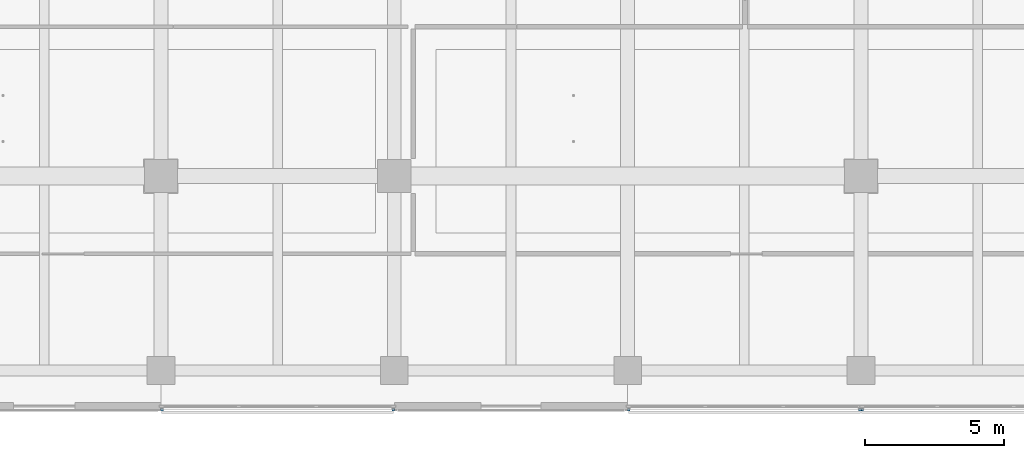
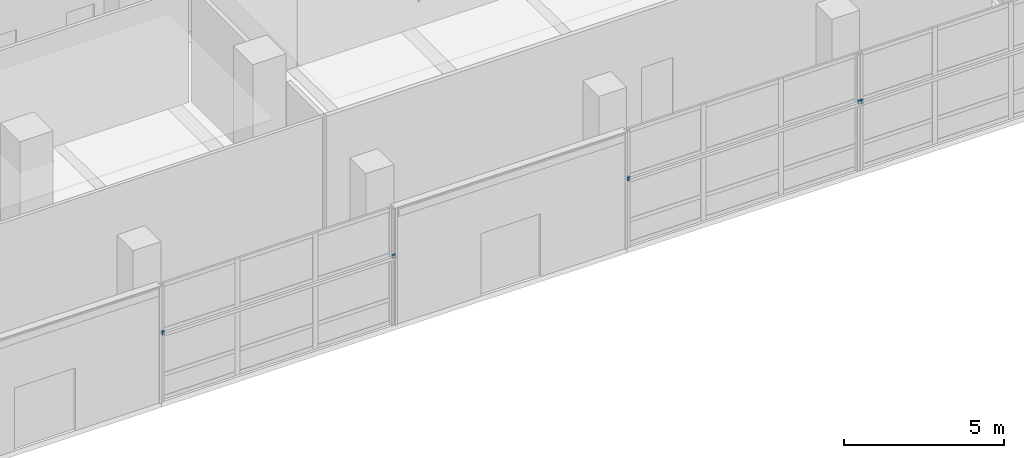
# One storey, part 83 of 140: 5 discrete accessories.
"""IFC4 building model written with IfcOpenShell, lengths in metres."""

from ifc_helpers import new_model, si_unit, direction, frame, origin, origin_2d, place, context, subcontext, project, spatial, rectangle, extrude, material, type_object, element, save


model = new_model("IFC4")

# Units and contexts
model_context = context("Model", 3, precision=1e-05, world=origin(), true_north=direction((0.0, 1.0)))
body_context = subcontext(model_context, "Body", "Model", "MODEL_VIEW")
ifc_project = project(units=[si_unit("LENGTHUNIT", "METRE"), si_unit("AREAUNIT", "SQUARE_METRE"), si_unit("VOLUMEUNIT", "CUBIC_METRE"), si_unit("PLANEANGLEUNIT", "RADIAN"), si_unit("MASSUNIT", "GRAM", prefix="KILO")], contexts=[model_context])

# Site, building, storey
site_placement = place(None, origin())
site = spatial("IfcSite", under=ifc_project, at=site_placement, CompositionType="ELEMENT")
building_placement = place(site_placement, origin())
building = spatial("IfcBuilding", under=site, at=building_placement, Name="Telukmera Botanical Conservatory", CompositionType="ELEMENT")
storey_placement = place(building_placement, origin())
storey = spatial("IfcBuildingStorey", under=building, at=storey_placement, Name="L00", CompositionType="ELEMENT", Elevation=0.0)

# Discrete accessories
ifc_material = material(Name="Steel S355", Category="steel")
discrete_accessory_type = type_object("IfcDiscreteAccessoryType", Name="Structural Steel Facade Outrigger Fin Bracket", PredefinedType="BRACKET", material=ifc_material)
for number, where, z_axis, x_axis, name in (
    (1, (75.636962890625, 9.18505859375, 2.580078125), (0.0, 0.0, 1.0), (1.0, 0.0, 0.0), "Facade Outrigger Bracket V4:L00:S4 A"),
    (2, (83.962890625, 9.18505859375, 2.580078125), (0.0, 0.0, 1.0), (1.0, 0.0, 0.0), "Facade Outrigger Bracket V4:L00:S4 B"),
    (3, (92.43701171875, 9.18505859375, 2.580078125), (0.0, 0.0, 1.0), (1.0, 0.0, 0.0), "Facade Outrigger Bracket V4:L00:S6 A"),
    (4, (100.762939453125, 9.18505859375, 2.580078125), (0.0, 0.0, 1.0), (1.0, 0.0, 0.0), "Facade Outrigger Bracket V4:L00:S6 B"),
    (5, (100.8369140625, 9.18505859375, 2.580078125), (0.0, 0.0, 1.0), (1.0, 0.0, 0.0), "Facade Outrigger Bracket V4:L00:S7 A"),
):
    element("IfcDiscreteAccessory", number, at=place(storey_placement, frame(where, z_axis=z_axis, x_axis=x_axis)), inside=storey, type_object=discrete_accessory_type, Name=name, PredefinedType="BRACKET", context=body_context, shape_type="SweptSolid", body=[
        extrude(rectangle(XDim=0.10009765625, YDim=0.090087890625, at=origin_2d()), origin(), (0.0, 0.0, 1.0), 0.139892578125),
    ])

save(model, "model.ifc")
